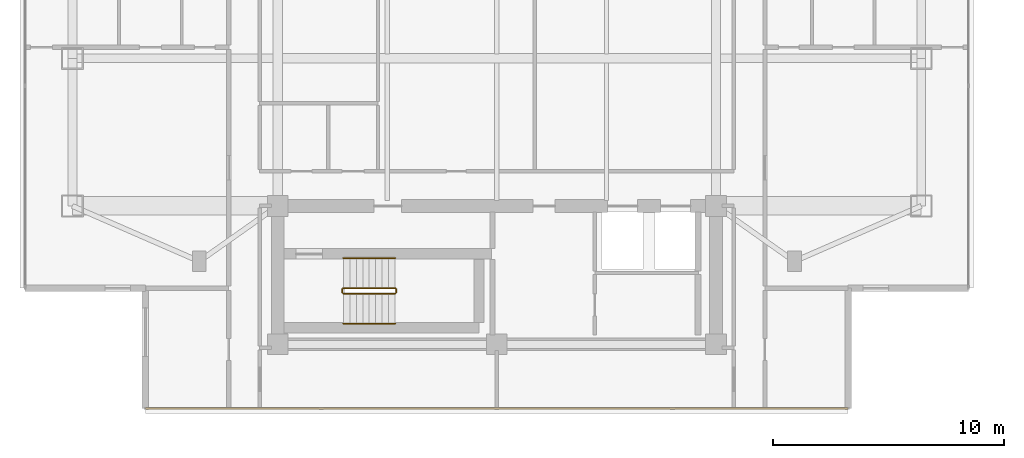
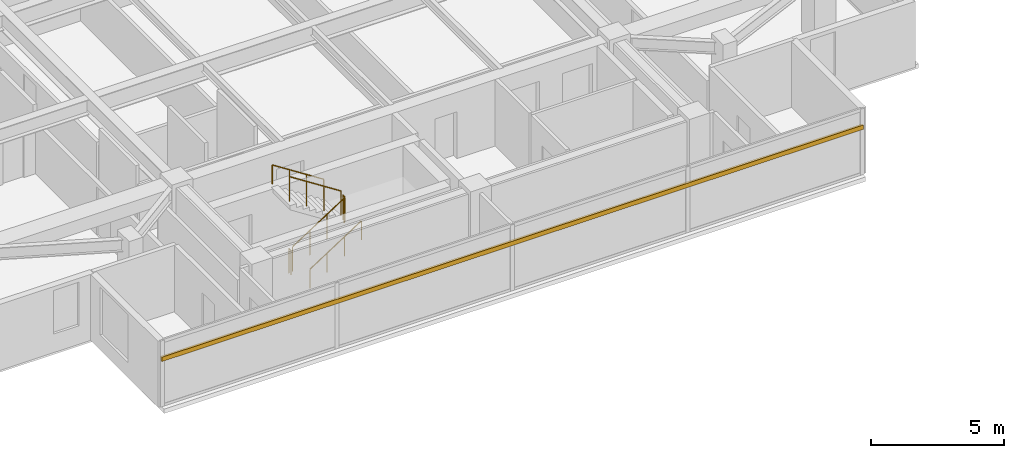
# One storey, part 19 of 24: 6 railings, 1 shading device.
"""IFC4 building model written with IfcOpenShell, lengths in metres."""

from ifc_helpers import new_model, si_unit, direction, frame, origin, origin_2d, place, context, subcontext, project, spatial, rectangle, circle, extrude, material, material_profile, profile_set, type_object, element, save


model = new_model("IFC4")

# Units and contexts
model_context = context("Model", 3, precision=1e-05, world=origin(), true_north=direction((0.0, 1.0)))
body_context = subcontext(model_context, "Body", "Model", "MODEL_VIEW")
ifc_project = project(units=[si_unit("LENGTHUNIT", "METRE"), si_unit("AREAUNIT", "SQUARE_METRE"), si_unit("VOLUMEUNIT", "CUBIC_METRE"), si_unit("PLANEANGLEUNIT", "RADIAN"), si_unit("MASSUNIT", "GRAM", prefix="KILO")], contexts=[model_context])

# Site, building, storey
site_placement = place(None, origin())
site = spatial("IfcSite", under=ifc_project, at=site_placement, CompositionType="ELEMENT")
building_placement = place(site_placement, origin())
building = spatial("IfcBuilding", under=site, at=building_placement, Name="Mirazonda Arch Towers", CompositionType="ELEMENT")
storey_placement = place(building_placement, frame((0.0, 0.0, 196.64990234375)))
storey = spatial("IfcBuildingStorey", under=building, at=storey_placement, Name="L56", CompositionType="ELEMENT", Elevation=196.64990234375)

# Shading device
ifc_material_1 = material(Name="Kiln-Fired Architectural Terracotta", Category="masonry")
ifc_material_profile = material_profile(ifc_material_1, rectangle(XDim=0.10009765625, YDim=0.199951171875, at=origin_2d()), Name="TERRA-BAG-100x200")
ifc_profile_set = profile_set([ifc_material_profile], Name="Kiln-Fired Architectural Terracotta")
shading_device_type = type_object("IfcShadingDeviceType", Name="BAGUETTE-2", PredefinedType="USERDEFINED", material=ifc_profile_set)
shading_device_placement = place(storey_placement, frame((35.735107421875, 9.617919921875, 2.181640625), z_axis=(-1.0, 0.0, 0.0), x_axis=(0.0, -1.0, 0.0)))
element("IfcShadingDevice", 1, at=shading_device_placement, inside=storey, type_object=shading_device_type, Name="L56 Glazed Terracotta Sun-Screen Baguette CW-L56-T1-S", ObjectType="BAGUETTE", PredefinedType="USERDEFINED", context=body_context, shape_type="SweptSolid", body=[
    extrude(rectangle(XDim=0.10009765625, YDim=0.199951171875, at=origin_2d()), origin(), (0.0, 0.0, 1.0), 30.47021484375),
])

# Railings
ifc_material_2 = material(Name="Architectural Brushed Steel S355", Category="steel")
railing_type_1 = type_object("IfcRailingType", Name="GUARD-STAIR-1120", PredefinedType="GUARDRAIL", material=ifc_material_2)
railing_1_placement = place(storey_placement, frame((13.85009765625, 14.60009765625, 0.1806640625)))
element("IfcRailing", 2, at=railing_1_placement, inside=storey, type_object=railing_type_1, Name="L56 ST-T1S stair guard 1", PredefinedType="GUARDRAIL", context=body_context, shape_type="SweptSolid", body=[
    extrude(circle(Radius=0.02392578125, at=origin_2d()), frame((0.0, 0.0, 1.1259765625), z_axis=(0.840436612492, 0.0, 0.541909863706), x_axis=(0.0, 1.0, 0.0)), (0.0, 0.0, 1.0), 2.665283203125),
    extrude(circle(Radius=0.02099609375, at=origin_2d()), origin(), (0.0, 0.0, 1.0), 1.101806640625),
    extrude(circle(Radius=0.02099609375, at=origin_2d()), frame((0.74658203125, 0.0, 0.4814453125)), (0.0, 0.0, 1.0), 1.101806640625),
    extrude(circle(Radius=0.02099609375, at=origin_2d()), frame((1.493408203125, 0.0, 0.962890625)), (0.0, 0.0, 1.0), 1.101806640625),
    extrude(circle(Radius=0.02099609375, at=origin_2d()), frame((2.239990234375, 0.0, 1.4443359375)), (0.0, 0.0, 1.0), 1.101806640625),
])
railing_2_placement = place(storey_placement, frame((16.139892578125, 14.64990234375, 1.625)))
element("IfcRailing", 3, at=railing_2_placement, inside=storey, type_object=railing_type_1, Name="L56 ST-T1S stair guard 2", PredefinedType="GUARDRAIL", context=body_context, shape_type="SweptSolid", body=[
    extrude(circle(Radius=0.02392578125, at=origin_2d()), frame((0.0, 0.0, 1.1259765625), z_axis=(0.0, 1.0, 0.0), x_axis=(-1.0, 0.0, 0.0)), (0.0, 0.0, 1.0), 0.14013671875),
    extrude(circle(Radius=0.02099609375, at=origin_2d()), origin(), (0.0, 0.0, 1.0), 1.101806640625),
    extrude(circle(Radius=0.02099609375, at=origin_2d()), frame((0.0, 0.14013671875, 0.0)), (0.0, 0.0, 1.0), 1.101806640625),
])
railing_3_placement = place(storey_placement, frame((16.090087890625, 14.840087890625, 1.8056640625)))
element("IfcRailing", 4, at=railing_3_placement, inside=storey, type_object=railing_type_1, Name="L56 ST-T1S stair guard 3", PredefinedType="GUARDRAIL", context=body_context, shape_type="SweptSolid", body=[
    extrude(circle(Radius=0.02392578125, at=origin_2d()), frame((0.0, 0.0, 1.1259765625), z_axis=(-0.840436612492, 0.0, 0.541909863706), x_axis=(0.0, -1.0, 0.0)), (0.0, 0.0, 1.0), 2.665283203125),
    extrude(circle(Radius=0.02099609375, at=origin_2d()), origin(), (0.0, 0.0, 1.0), 1.101806640625),
    extrude(circle(Radius=0.02099609375, at=origin_2d()), frame((-0.74658203125, 0.0, 0.4814453125)), (0.0, 0.0, 1.0), 1.101806640625),
    extrude(circle(Radius=0.02099609375, at=origin_2d()), frame((-1.493408203125, 0.0, 0.962890625)), (0.0, 0.0, 1.0), 1.101806640625),
    extrude(circle(Radius=0.02099609375, at=origin_2d()), frame((-2.239990234375, 0.0, 1.4443359375)), (0.0, 0.0, 1.0), 1.101806640625),
])
railing_4_placement = place(storey_placement, frame((13.800048828125, 14.64990234375, 0.0)))
element("IfcRailing", 5, at=railing_4_placement, inside=storey, type_object=railing_type_1, Name="L56 ST-T1S stair guard 4", PredefinedType="GUARDRAIL", context=body_context, shape_type="SweptSolid", body=[
    extrude(circle(Radius=0.02392578125, at=origin_2d()), frame((0.0, 0.0, 1.1259765625), z_axis=(0.0, 1.0, 0.0), x_axis=(-1.0, 0.0, 0.0)), (0.0, 0.0, 1.0), 0.14013671875),
    extrude(circle(Radius=0.02099609375, at=origin_2d()), origin(), (0.0, 0.0, 1.0), 1.101806640625),
    extrude(circle(Radius=0.02099609375, at=origin_2d()), frame((0.0, 0.14013671875, 0.0)), (0.0, 0.0, 1.0), 1.101806640625),
])
railing_type_2 = type_object("IfcRailingType", Name="HANDRAIL-915", PredefinedType="HANDRAIL", material=ifc_material_2)
railing_5_placement = place(storey_placement, frame((13.85009765625, 13.300048828125, 0.1806640625)))
element("IfcRailing", 6, at=railing_5_placement, inside=storey, type_object=railing_type_2, Name="L56 ST-T1S stair handrail 1", PredefinedType="HANDRAIL", context=body_context, shape_type="SweptSolid", body=[
    extrude(circle(Radius=0.02392578125, at=origin_2d()), frame((0.0, 0.0, 0.8759765625), z_axis=(0.840436612492, 0.0, 0.541909863706), x_axis=(0.0, 1.0, 0.0)), (0.0, 0.0, 1.0), 2.665283203125),
    extrude(circle(Radius=0.02099609375, at=origin_2d()), origin(), (0.0, 0.0, 1.0), 0.851806640625),
    extrude(circle(Radius=0.02099609375, at=origin_2d()), frame((0.74658203125, 0.0, 0.4814453125)), (0.0, 0.0, 1.0), 0.851806640625),
    extrude(circle(Radius=0.02099609375, at=origin_2d()), frame((1.493408203125, 0.0, 0.962890625)), (0.0, 0.0, 1.0), 0.851806640625),
    extrude(circle(Radius=0.02099609375, at=origin_2d()), frame((2.239990234375, 0.0, 1.4443359375)), (0.0, 0.0, 1.0), 0.851806640625),
])
railing_6_placement = place(storey_placement, frame((16.090087890625, 16.139892578125, 1.8056640625)))
element("IfcRailing", 7, at=railing_6_placement, inside=storey, type_object=railing_type_2, Name="L56 ST-T1S stair handrail 2", PredefinedType="HANDRAIL", context=body_context, shape_type="SweptSolid", body=[
    extrude(circle(Radius=0.02392578125, at=origin_2d()), frame((0.0, 0.0, 0.8759765625), z_axis=(-0.840436612492, 0.0, 0.541909863706), x_axis=(0.0, -1.0, 0.0)), (0.0, 0.0, 1.0), 2.665283203125),
    extrude(circle(Radius=0.02099609375, at=origin_2d()), origin(), (0.0, 0.0, 1.0), 0.851806640625),
    extrude(circle(Radius=0.02099609375, at=origin_2d()), frame((-0.74658203125, 0.0, 0.4814453125)), (0.0, 0.0, 1.0), 0.851806640625),
    extrude(circle(Radius=0.02099609375, at=origin_2d()), frame((-1.493408203125, 0.0, 0.962890625)), (0.0, 0.0, 1.0), 0.851806640625),
    extrude(circle(Radius=0.02099609375, at=origin_2d()), frame((-2.239990234375, 0.0, 1.4443359375)), (0.0, 0.0, 1.0), 0.851806640625),
])

save(model, "model.ifc")
